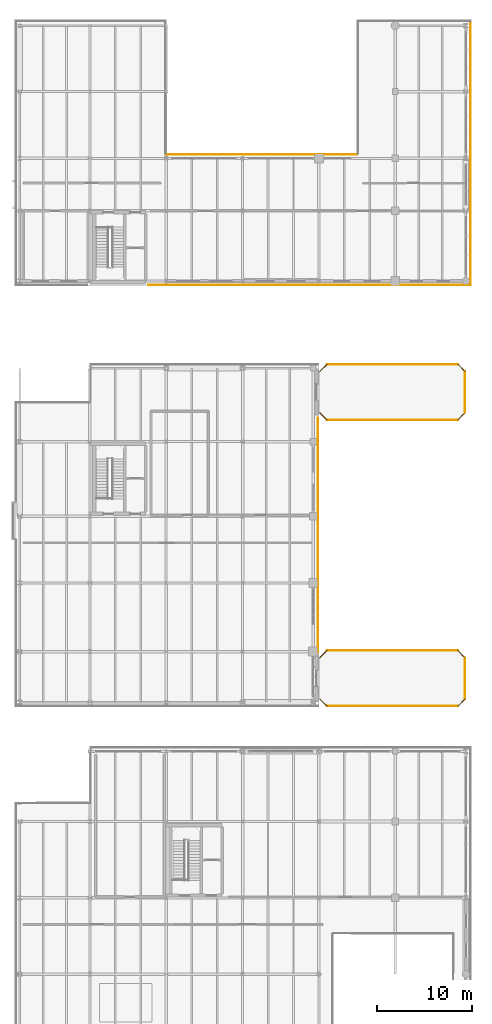
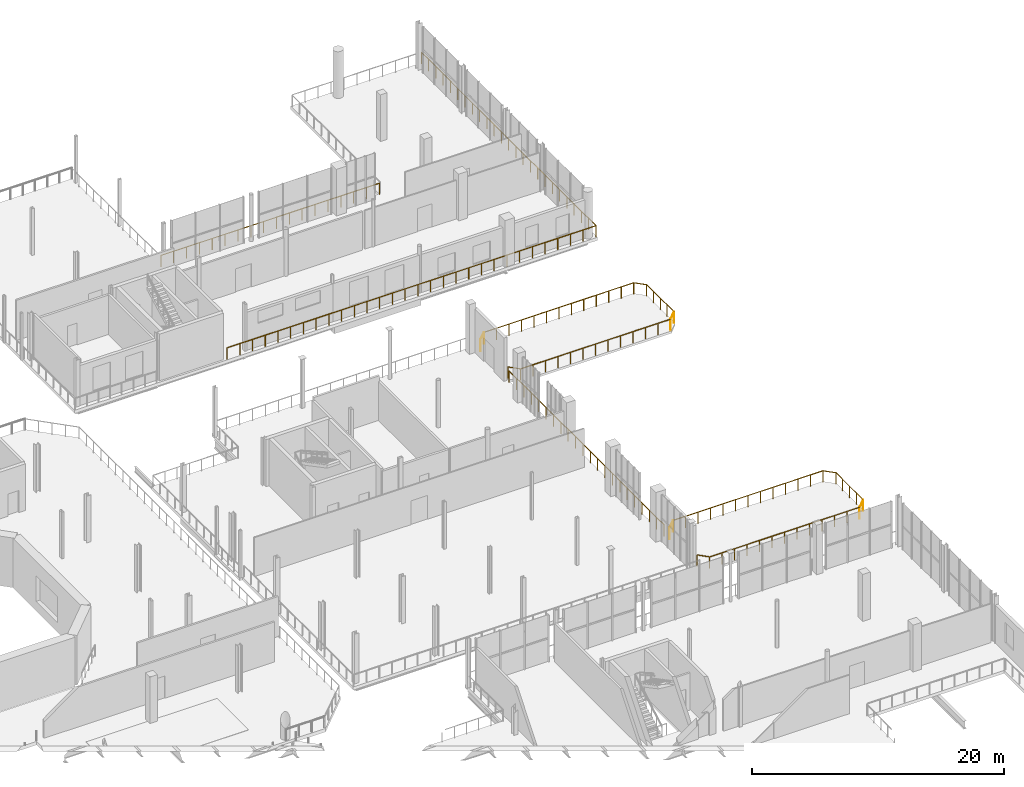
# One storey, part 92 of 93: 18 railings.
"""IFC4 building model written with IfcOpenShell, lengths in metres."""

from ifc_helpers import new_model, si_unit, direction, frame, origin, origin_2d, place, context, subcontext, project, spatial, circle, extrude, material, type_object, element, save


model = new_model("IFC4")

# Units and contexts
model_context = context("Model", 3, precision=1e-05, world=origin(), true_north=direction((0.0, 1.0)))
body_context = subcontext(model_context, "Body", "Model", "MODEL_VIEW")
ifc_project = project(units=[si_unit("LENGTHUNIT", "METRE"), si_unit("AREAUNIT", "SQUARE_METRE"), si_unit("VOLUMEUNIT", "CUBIC_METRE"), si_unit("PLANEANGLEUNIT", "RADIAN"), si_unit("MASSUNIT", "GRAM", prefix="KILO")], contexts=[model_context])

# Site, building, storey
site_placement = place(None, origin())
site = spatial("IfcSite", under=ifc_project, at=site_placement, CompositionType="ELEMENT")
building_placement = place(site_placement, origin())
building = spatial("IfcBuilding", under=site, at=building_placement, Name="Brisemont Oceanarium", CompositionType="ELEMENT")
storey_placement = place(building_placement, frame((0.0, 0.0, 5.39990234375)))
storey = spatial("IfcBuildingStorey", under=building, at=storey_placement, Name="L01", CompositionType="ELEMENT", Elevation=5.39990234375)

# Railings
ifc_material_1 = material(Name="Beaux-Arts Limestone Balustrade Precast Concrete C40/50", Category="masonry")
railing_type_1 = type_object("IfcRailingType", Name="RLG-BAL-1140", PredefinedType="BALUSTRADE", material=ifc_material_1)
railing_1_placement = place(storey_placement, frame((159.31005859375, 71.16259765625, 0.0)))
element("IfcRailing", 1, at=railing_1_placement, inside=storey, type_object=railing_type_1, Name="L01 slab perimeter safety guard 28", PredefinedType="BALUSTRADE", context=body_context, shape_type="SweptSolid", body=[
    extrude(circle(Radius=0.02392578125, at=origin_2d()), frame((0.0, 0.0, 1.11572265625), z_axis=(0.0, -1.0, 0.0), x_axis=(1.0, 0.0, 0.0)), (0.0, 0.0, 1.0), 4.3251953125),
    extrude(circle(Radius=0.02099609375, at=origin_2d()), origin(), (0.0, 0.0, 1.0), 1.091796875),
    extrude(circle(Radius=0.02099609375, at=origin_2d()), frame((0.0, -1.081298828125, 0.0)), (0.0, 0.0, 1.0), 1.091796875),
    extrude(circle(Radius=0.02099609375, at=origin_2d()), frame((0.0, -2.16259765625, 0.0)), (0.0, 0.0, 1.0), 1.091796875),
    extrude(circle(Radius=0.02099609375, at=origin_2d()), frame((0.0, -3.243896484375, 0.0)), (0.0, 0.0, 1.0), 1.091796875),
    extrude(circle(Radius=0.02099609375, at=origin_2d()), frame((0.0, -4.3251953125, 0.0)), (0.0, 0.0, 1.0), 1.091796875),
])
railing_2_placement = place(storey_placement, frame((143.909912109375, 66.27783203125, 0.0)))
element("IfcRailing", 2, at=railing_2_placement, inside=storey, type_object=railing_type_1, Name="L01 slab perimeter safety guard 32", PredefinedType="BALUSTRADE", context=body_context, shape_type="SweptSolid", body=[
    extrude(circle(Radius=0.02392578125, at=origin_2d()), frame((0.0, 0.0, 1.11572265625), z_axis=(0.0, -1.0, 0.0), x_axis=(1.0, 0.0, 0.0)), (0.0, 0.0, 1.0), 24.5556640625),
    extrude(circle(Radius=0.02099609375, at=origin_2d()), origin(), (0.0, 0.0, 1.0), 1.091796875),
    extrude(circle(Radius=0.02099609375, at=origin_2d()), frame((0.0, -1.16943359375, 0.0)), (0.0, 0.0, 1.0), 1.091796875),
    extrude(circle(Radius=0.02099609375, at=origin_2d()), frame((0.0, -2.338623046875, 0.0)), (0.0, 0.0, 1.0), 1.091796875),
    extrude(circle(Radius=0.02099609375, at=origin_2d()), frame((0.0, -3.508056640625, 0.0)), (0.0, 0.0, 1.0), 1.091796875),
    extrude(circle(Radius=0.02099609375, at=origin_2d()), frame((0.0, -4.67724609375, 0.0)), (0.0, 0.0, 1.0), 1.091796875),
    extrude(circle(Radius=0.02099609375, at=origin_2d()), frame((0.0, -5.8466796875, 0.0)), (0.0, 0.0, 1.0), 1.091796875),
    extrude(circle(Radius=0.02099609375, at=origin_2d()), frame((0.0, -7.015869140625, 0.0)), (0.0, 0.0, 1.0), 1.091796875),
    extrude(circle(Radius=0.02099609375, at=origin_2d()), frame((0.0, -8.185302734375, 0.0)), (0.0, 0.0, 1.0), 1.091796875),
    extrude(circle(Radius=0.02099609375, at=origin_2d()), frame((0.0, -9.3544921875, 0.0)), (0.0, 0.0, 1.0), 1.091796875),
    extrude(circle(Radius=0.02099609375, at=origin_2d()), frame((0.0, -10.52392578125, 0.0)), (0.0, 0.0, 1.0), 1.091796875),
    extrude(circle(Radius=0.02099609375, at=origin_2d()), frame((0.0, -11.693115234375, 0.0)), (0.0, 0.0, 1.0), 1.091796875),
    extrude(circle(Radius=0.02099609375, at=origin_2d()), frame((0.0, -12.862548828125, 0.0)), (0.0, 0.0, 1.0), 1.091796875),
    extrude(circle(Radius=0.02099609375, at=origin_2d()), frame((0.0, -14.03173828125, 0.0)), (0.0, 0.0, 1.0), 1.091796875),
    extrude(circle(Radius=0.02099609375, at=origin_2d()), frame((0.0, -15.201171875, 0.0)), (0.0, 0.0, 1.0), 1.091796875),
    extrude(circle(Radius=0.02099609375, at=origin_2d()), frame((0.0, -16.370361328125, 0.0)), (0.0, 0.0, 1.0), 1.091796875),
    extrude(circle(Radius=0.02099609375, at=origin_2d()), frame((0.0, -17.539794921875, 0.0)), (0.0, 0.0, 1.0), 1.091796875),
    extrude(circle(Radius=0.02099609375, at=origin_2d()), frame((0.0, -18.708984375, 0.0)), (0.0, 0.0, 1.0), 1.091796875),
    extrude(circle(Radius=0.02099609375, at=origin_2d()), frame((0.0, -19.87841796875, 0.0)), (0.0, 0.0, 1.0), 1.091796875),
    extrude(circle(Radius=0.02099609375, at=origin_2d()), frame((0.0, -21.047607421875, 0.0)), (0.0, 0.0, 1.0), 1.091796875),
    extrude(circle(Radius=0.02099609375, at=origin_2d()), frame((0.0, -22.217041015625, 0.0)), (0.0, 0.0, 1.0), 1.091796875),
    extrude(circle(Radius=0.02099609375, at=origin_2d()), frame((0.0, -23.38623046875, 0.0)), (0.0, 0.0, 1.0), 1.091796875),
    extrude(circle(Radius=0.02099609375, at=origin_2d()), frame((0.0, -24.5556640625, 0.0)), (0.0, 0.0, 1.0), 1.091796875),
])
railing_3_placement = place(storey_placement, frame((159.31005859375, 41.16259765625, 0.0)))
element("IfcRailing", 3, at=railing_3_placement, inside=storey, type_object=railing_type_1, Name="L01 slab perimeter safety guard 36", PredefinedType="BALUSTRADE", context=body_context, shape_type="SweptSolid", body=[
    extrude(circle(Radius=0.02392578125, at=origin_2d()), frame((0.0, 0.0, 1.11572265625), z_axis=(0.0, -1.0, 0.0), x_axis=(1.0, 0.0, 0.0)), (0.0, 0.0, 1.0), 4.3251953125),
    extrude(circle(Radius=0.02099609375, at=origin_2d()), origin(), (0.0, 0.0, 1.0), 1.091796875),
    extrude(circle(Radius=0.02099609375, at=origin_2d()), frame((0.0, -1.081298828125, 0.0)), (0.0, 0.0, 1.0), 1.091796875),
    extrude(circle(Radius=0.02099609375, at=origin_2d()), frame((0.0, -2.16259765625, 0.0)), (0.0, 0.0, 1.0), 1.091796875),
    extrude(circle(Radius=0.02099609375, at=origin_2d()), frame((0.0, -3.243896484375, 0.0)), (0.0, 0.0, 1.0), 1.091796875),
    extrude(circle(Radius=0.02099609375, at=origin_2d()), frame((0.0, -4.3251953125, 0.0)), (0.0, 0.0, 1.0), 1.091796875),
])
ifc_material_2 = material(Name="Duplex Stainless Steel EN 1.4462", Category="steel")
railing_type_2 = type_object("IfcRailingType", Name="RLG-GUARD-1120", PredefinedType="GUARDRAIL", material=ifc_material_2)
railing_4_placement = place(storey_placement, frame((127.98193359375, 93.916748046875, 0.0)))
element("IfcRailing", 4, at=railing_4_placement, inside=storey, type_object=railing_type_2, Name="L01 slab perimeter safety guard 14", PredefinedType="GUARDRAIL", context=body_context, shape_type="SweptSolid", body=[
    extrude(circle(Radius=0.02392578125, at=origin_2d()), frame((0.0, 0.0, 1.09619140625), z_axis=(0.999999941576, -0.000341830237, 0.0), x_axis=(0.000341830237, 0.999999941576, 0.0)), (0.0, 0.0, 1.0), 19.998046875),
    extrude(circle(Radius=0.02099609375, at=origin_2d()), origin(), (0.0, 0.0, 1.0), 1.072021484375),
    extrude(circle(Radius=0.02099609375, at=origin_2d()), frame((1.17626953125, -0.00048828125, 0.0)), (0.0, 0.0, 1.0), 1.072021484375),
    extrude(circle(Radius=0.02099609375, at=origin_2d()), frame((2.352783203125, -0.000732421875, 0.0)), (0.0, 0.0, 1.0), 1.072021484375),
    extrude(circle(Radius=0.02099609375, at=origin_2d()), frame((3.529052734375, -0.001220703125, 0.0)), (0.0, 0.0, 1.0), 1.072021484375),
    extrude(circle(Radius=0.02099609375, at=origin_2d()), frame((4.705322265625, -0.001708984375, 0.0)), (0.0, 0.0, 1.0), 1.072021484375),
    extrude(circle(Radius=0.02099609375, at=origin_2d()), frame((5.8818359375, -0.001953125, 0.0)), (0.0, 0.0, 1.0), 1.072021484375),
    extrude(circle(Radius=0.02099609375, at=origin_2d()), frame((7.05810546875, -0.00244140625, 0.0)), (0.0, 0.0, 1.0), 1.072021484375),
    extrude(circle(Radius=0.02099609375, at=origin_2d()), frame((8.234375, -0.0029296875, 0.0)), (0.0, 0.0, 1.0), 1.072021484375),
    extrude(circle(Radius=0.02099609375, at=origin_2d()), frame((9.410888671875, -0.003173828125, 0.0)), (0.0, 0.0, 1.0), 1.072021484375),
    extrude(circle(Radius=0.02099609375, at=origin_2d()), frame((10.587158203125, -0.003662109375, 0.0)), (0.0, 0.0, 1.0), 1.072021484375),
    extrude(circle(Radius=0.02099609375, at=origin_2d()), frame((11.763671875, -0.00390625, 0.0)), (0.0, 0.0, 1.0), 1.072021484375),
    extrude(circle(Radius=0.02099609375, at=origin_2d()), frame((12.93994140625, -0.00439453125, 0.0)), (0.0, 0.0, 1.0), 1.072021484375),
    extrude(circle(Radius=0.02099609375, at=origin_2d()), frame((14.1162109375, -0.0048828125, 0.0)), (0.0, 0.0, 1.0), 1.072021484375),
    extrude(circle(Radius=0.02099609375, at=origin_2d()), frame((15.292724609375, -0.005126953125, 0.0)), (0.0, 0.0, 1.0), 1.072021484375),
    extrude(circle(Radius=0.02099609375, at=origin_2d()), frame((16.468994140625, -0.005615234375, 0.0)), (0.0, 0.0, 1.0), 1.072021484375),
    extrude(circle(Radius=0.02099609375, at=origin_2d()), frame((17.645263671875, -0.006103515625, 0.0)), (0.0, 0.0, 1.0), 1.072021484375),
    extrude(circle(Radius=0.02099609375, at=origin_2d()), frame((18.82177734375, -0.00634765625, 0.0)), (0.0, 0.0, 1.0), 1.072021484375),
    extrude(circle(Radius=0.02099609375, at=origin_2d()), frame((19.998046875, -0.0068359375, 0.0)), (0.0, 0.0, 1.0), 1.072021484375),
])
railing_5_placement = place(storey_placement, frame((159.909423828125, 107.909912109375, 0.0)))
element("IfcRailing", 5, at=railing_5_placement, inside=storey, type_object=railing_type_2, Name="L01 slab perimeter safety guard 17", PredefinedType="GUARDRAIL", context=body_context, shape_type="SweptSolid", body=[
    extrude(circle(Radius=0.02392578125, at=origin_2d()), frame((0.0, 0.0, 1.09619140625), z_axis=(1.7646955e-05, -0.999999999844, 0.0), x_axis=(0.999999999844, 1.7646955e-05, 0.0)), (0.0, 0.0, 1.0), 27.66943359375),
    extrude(circle(Radius=0.02099609375, at=origin_2d()), origin(), (0.0, 0.0, 1.0), 1.072021484375),
    extrude(circle(Radius=0.02099609375, at=origin_2d()), frame((0.0, -1.15283203125, 0.0)), (0.0, 0.0, 1.0), 1.072021484375),
    extrude(circle(Radius=0.02099609375, at=origin_2d()), frame((0.0, -2.3056640625, 0.0)), (0.0, 0.0, 1.0), 1.072021484375),
    extrude(circle(Radius=0.02099609375, at=origin_2d()), frame((0.0, -3.458740234375, 0.0)), (0.0, 0.0, 1.0), 1.072021484375),
    extrude(circle(Radius=0.02099609375, at=origin_2d()), frame((0.0, -4.611572265625, 0.0)), (0.0, 0.0, 1.0), 1.072021484375),
    extrude(circle(Radius=0.02099609375, at=origin_2d()), frame((0.0, -5.764404296875, 0.0)), (0.0, 0.0, 1.0), 1.072021484375),
    extrude(circle(Radius=0.02099609375, at=origin_2d()), frame((0.0, -6.91748046875, 0.0)), (0.0, 0.0, 1.0), 1.072021484375),
    extrude(circle(Radius=0.02099609375, at=origin_2d()), frame((0.000244140625, -8.0703125, 0.0)), (0.0, 0.0, 1.0), 1.072021484375),
    extrude(circle(Radius=0.02099609375, at=origin_2d()), frame((0.000244140625, -9.22314453125, 0.0)), (0.0, 0.0, 1.0), 1.072021484375),
    extrude(circle(Radius=0.02099609375, at=origin_2d()), frame((0.000244140625, -10.3759765625, 0.0)), (0.0, 0.0, 1.0), 1.072021484375),
    extrude(circle(Radius=0.02099609375, at=origin_2d()), frame((0.000244140625, -11.52880859375, 0.0)), (0.0, 0.0, 1.0), 1.072021484375),
    extrude(circle(Radius=0.02099609375, at=origin_2d()), frame((0.000244140625, -12.681884765625, 0.0)), (0.0, 0.0, 1.0), 1.072021484375),
    extrude(circle(Radius=0.02099609375, at=origin_2d()), frame((0.000244140625, -13.834716796875, 0.0)), (0.0, 0.0, 1.0), 1.072021484375),
    extrude(circle(Radius=0.02099609375, at=origin_2d()), frame((0.000244140625, -14.987548828125, 0.0)), (0.0, 0.0, 1.0), 1.072021484375),
    extrude(circle(Radius=0.02099609375, at=origin_2d()), frame((0.000244140625, -16.140625, 0.0)), (0.0, 0.0, 1.0), 1.072021484375),
    extrude(circle(Radius=0.02099609375, at=origin_2d()), frame((0.000244140625, -17.29345703125, 0.0)), (0.0, 0.0, 1.0), 1.072021484375),
    extrude(circle(Radius=0.02099609375, at=origin_2d()), frame((0.000244140625, -18.4462890625, 0.0)), (0.0, 0.0, 1.0), 1.072021484375),
    extrude(circle(Radius=0.02099609375, at=origin_2d()), frame((0.000244140625, -19.59912109375, 0.0)), (0.0, 0.0, 1.0), 1.072021484375),
    extrude(circle(Radius=0.02099609375, at=origin_2d()), frame((0.00048828125, -20.751953125, 0.0)), (0.0, 0.0, 1.0), 1.072021484375),
    extrude(circle(Radius=0.02099609375, at=origin_2d()), frame((0.00048828125, -21.905029296875, 0.0)), (0.0, 0.0, 1.0), 1.072021484375),
    extrude(circle(Radius=0.02099609375, at=origin_2d()), frame((0.00048828125, -23.057861328125, 0.0)), (0.0, 0.0, 1.0), 1.072021484375),
    extrude(circle(Radius=0.02099609375, at=origin_2d()), frame((0.00048828125, -24.210693359375, 0.0)), (0.0, 0.0, 1.0), 1.072021484375),
    extrude(circle(Radius=0.02099609375, at=origin_2d()), frame((0.00048828125, -25.36376953125, 0.0)), (0.0, 0.0, 1.0), 1.072021484375),
    extrude(circle(Radius=0.02099609375, at=origin_2d()), frame((0.00048828125, -26.5166015625, 0.0)), (0.0, 0.0, 1.0), 1.072021484375),
    extrude(circle(Radius=0.02099609375, at=origin_2d()), frame((0.00048828125, -27.66943359375, 0.0)), (0.0, 0.0, 1.0), 1.072021484375),
])
railing_6_placement = place(storey_placement, frame((159.909912109375, 80.240478515625, 0.0)))
element("IfcRailing", 6, at=railing_6_placement, inside=storey, type_object=railing_type_2, Name="L01 slab perimeter safety guard 18", PredefinedType="GUARDRAIL", context=body_context, shape_type="SweptSolid", body=[
    extrude(circle(Radius=0.02392578125, at=origin_2d()), frame((0.0, 0.0, 1.09619140625), z_axis=(-0.999999999895, -1.4463303e-05, 0.0), x_axis=(1.4463303e-05, -0.999999999895, 0.0)), (0.0, 0.0, 1.0), 33.760009765625),
    extrude(circle(Radius=0.02099609375, at=origin_2d()), origin(), (0.0, 0.0, 1.0), 1.072021484375),
    extrude(circle(Radius=0.02099609375, at=origin_2d()), frame((-1.1640625, 0.0, 0.0)), (0.0, 0.0, 1.0), 1.072021484375),
    extrude(circle(Radius=0.02099609375, at=origin_2d()), frame((-2.328369140625, 0.0, 0.0)), (0.0, 0.0, 1.0), 1.072021484375),
    extrude(circle(Radius=0.02099609375, at=origin_2d()), frame((-3.492431640625, 0.0, 0.0)), (0.0, 0.0, 1.0), 1.072021484375),
    extrude(circle(Radius=0.02099609375, at=origin_2d()), frame((-4.656494140625, 0.0, 0.0)), (0.0, 0.0, 1.0), 1.072021484375),
    extrude(circle(Radius=0.02099609375, at=origin_2d()), frame((-5.82080078125, 0.0, 0.0)), (0.0, 0.0, 1.0), 1.072021484375),
    extrude(circle(Radius=0.02099609375, at=origin_2d()), frame((-6.98486328125, 0.0, 0.0)), (0.0, 0.0, 1.0), 1.072021484375),
    extrude(circle(Radius=0.02099609375, at=origin_2d()), frame((-8.14892578125, 0.0, 0.0)), (0.0, 0.0, 1.0), 1.072021484375),
    extrude(circle(Radius=0.02099609375, at=origin_2d()), frame((-9.31298828125, -0.000244140625, 0.0)), (0.0, 0.0, 1.0), 1.072021484375),
    extrude(circle(Radius=0.02099609375, at=origin_2d()), frame((-10.477294921875, -0.000244140625, 0.0)), (0.0, 0.0, 1.0), 1.072021484375),
    extrude(circle(Radius=0.02099609375, at=origin_2d()), frame((-11.641357421875, -0.000244140625, 0.0)), (0.0, 0.0, 1.0), 1.072021484375),
    extrude(circle(Radius=0.02099609375, at=origin_2d()), frame((-12.805419921875, -0.000244140625, 0.0)), (0.0, 0.0, 1.0), 1.072021484375),
    extrude(circle(Radius=0.02099609375, at=origin_2d()), frame((-13.9697265625, -0.000244140625, 0.0)), (0.0, 0.0, 1.0), 1.072021484375),
    extrude(circle(Radius=0.02099609375, at=origin_2d()), frame((-15.1337890625, -0.000244140625, 0.0)), (0.0, 0.0, 1.0), 1.072021484375),
    extrude(circle(Radius=0.02099609375, at=origin_2d()), frame((-16.2978515625, -0.000244140625, 0.0)), (0.0, 0.0, 1.0), 1.072021484375),
    extrude(circle(Radius=0.02099609375, at=origin_2d()), frame((-17.462158203125, -0.000244140625, 0.0)), (0.0, 0.0, 1.0), 1.072021484375),
    extrude(circle(Radius=0.02099609375, at=origin_2d()), frame((-18.626220703125, -0.000244140625, 0.0)), (0.0, 0.0, 1.0), 1.072021484375),
    extrude(circle(Radius=0.02099609375, at=origin_2d()), frame((-19.790283203125, -0.000244140625, 0.0)), (0.0, 0.0, 1.0), 1.072021484375),
    extrude(circle(Radius=0.02099609375, at=origin_2d()), frame((-20.95458984375, -0.000244140625, 0.0)), (0.0, 0.0, 1.0), 1.072021484375),
    extrude(circle(Radius=0.02099609375, at=origin_2d()), frame((-22.11865234375, -0.000244140625, 0.0)), (0.0, 0.0, 1.0), 1.072021484375),
    extrude(circle(Radius=0.02099609375, at=origin_2d()), frame((-23.28271484375, -0.000244140625, 0.0)), (0.0, 0.0, 1.0), 1.072021484375),
    extrude(circle(Radius=0.02099609375, at=origin_2d()), frame((-24.447021484375, -0.000244140625, 0.0)), (0.0, 0.0, 1.0), 1.072021484375),
    extrude(circle(Radius=0.02099609375, at=origin_2d()), frame((-25.611083984375, -0.00048828125, 0.0)), (0.0, 0.0, 1.0), 1.072021484375),
    extrude(circle(Radius=0.02099609375, at=origin_2d()), frame((-26.775146484375, -0.00048828125, 0.0)), (0.0, 0.0, 1.0), 1.072021484375),
    extrude(circle(Radius=0.02099609375, at=origin_2d()), frame((-27.939208984375, -0.00048828125, 0.0)), (0.0, 0.0, 1.0), 1.072021484375),
    extrude(circle(Radius=0.02099609375, at=origin_2d()), frame((-29.103515625, -0.00048828125, 0.0)), (0.0, 0.0, 1.0), 1.072021484375),
    extrude(circle(Radius=0.02099609375, at=origin_2d()), frame((-30.267578125, -0.00048828125, 0.0)), (0.0, 0.0, 1.0), 1.072021484375),
    extrude(circle(Radius=0.02099609375, at=origin_2d()), frame((-31.431640625, -0.00048828125, 0.0)), (0.0, 0.0, 1.0), 1.072021484375),
    extrude(circle(Radius=0.02099609375, at=origin_2d()), frame((-32.595947265625, -0.00048828125, 0.0)), (0.0, 0.0, 1.0), 1.072021484375),
    extrude(circle(Radius=0.02099609375, at=origin_2d()), frame((-33.760009765625, -0.00048828125, 0.0)), (0.0, 0.0, 1.0), 1.072021484375),
])
railing_7_placement = place(storey_placement, frame((144.110107421875, 71.1826171875, 0.0)))
element("IfcRailing", 7, at=railing_7_placement, inside=storey, type_object=railing_type_2, Name="L01 slab perimeter safety guard 25", PredefinedType="GUARDRAIL", context=body_context, shape_type="SweptSolid", body=[
    extrude(circle(Radius=0.02392578125, at=origin_2d()), frame((0.0, 0.0, 1.09619140625), z_axis=(0.707106781187, 0.707106781187, 0.0), x_axis=(-0.707106781187, 0.707106781187, 0.0)), (0.0, 0.0, 1.0), 1.028564453125),
    extrude(circle(Radius=0.02099609375, at=origin_2d()), origin(), (0.0, 0.0, 1.0), 1.072021484375),
    extrude(circle(Radius=0.02099609375, at=origin_2d()), frame((0.727294921875, 0.727294921875, 0.0)), (0.0, 0.0, 1.0), 1.072021484375),
])
railing_8_placement = place(storey_placement, frame((144.83740234375, 71.909912109375, 0.0)))
element("IfcRailing", 8, at=railing_8_placement, inside=storey, type_object=railing_type_2, Name="L01 slab perimeter safety guard 26", PredefinedType="GUARDRAIL", context=body_context, shape_type="SweptSolid", body=[
    extrude(circle(Radius=0.02392578125, at=origin_2d()), frame((0.0, 0.0, 1.09619140625), z_axis=(1.0, 0.0, 0.0), x_axis=(0.0, 1.0, 0.0)), (0.0, 0.0, 1.0), 13.725341796875),
    extrude(circle(Radius=0.02099609375, at=origin_2d()), origin(), (0.0, 0.0, 1.0), 1.072021484375),
    extrude(circle(Radius=0.02099609375, at=origin_2d()), frame((1.143798828125, 0.0, 0.0)), (0.0, 0.0, 1.0), 1.072021484375),
    extrude(circle(Radius=0.02099609375, at=origin_2d()), frame((2.28759765625, 0.0, 0.0)), (0.0, 0.0, 1.0), 1.072021484375),
    extrude(circle(Radius=0.02099609375, at=origin_2d()), frame((3.431396484375, 0.0, 0.0)), (0.0, 0.0, 1.0), 1.072021484375),
    extrude(circle(Radius=0.02099609375, at=origin_2d()), frame((4.5751953125, 0.0, 0.0)), (0.0, 0.0, 1.0), 1.072021484375),
    extrude(circle(Radius=0.02099609375, at=origin_2d()), frame((5.718994140625, 0.0, 0.0)), (0.0, 0.0, 1.0), 1.072021484375),
    extrude(circle(Radius=0.02099609375, at=origin_2d()), frame((6.86279296875, 0.0, 0.0)), (0.0, 0.0, 1.0), 1.072021484375),
    extrude(circle(Radius=0.02099609375, at=origin_2d()), frame((8.00634765625, 0.0, 0.0)), (0.0, 0.0, 1.0), 1.072021484375),
    extrude(circle(Radius=0.02099609375, at=origin_2d()), frame((9.150146484375, 0.0, 0.0)), (0.0, 0.0, 1.0), 1.072021484375),
    extrude(circle(Radius=0.02099609375, at=origin_2d()), frame((10.2939453125, 0.0, 0.0)), (0.0, 0.0, 1.0), 1.072021484375),
    extrude(circle(Radius=0.02099609375, at=origin_2d()), frame((11.437744140625, 0.0, 0.0)), (0.0, 0.0, 1.0), 1.072021484375),
    extrude(circle(Radius=0.02099609375, at=origin_2d()), frame((12.58154296875, 0.0, 0.0)), (0.0, 0.0, 1.0), 1.072021484375),
    extrude(circle(Radius=0.02099609375, at=origin_2d()), frame((13.725341796875, 0.0, 0.0)), (0.0, 0.0, 1.0), 1.072021484375),
])
railing_9_placement = place(storey_placement, frame((158.562744140625, 71.909912109375, 0.0)))
element("IfcRailing", 9, at=railing_9_placement, inside=storey, type_object=railing_type_2, Name="L01 slab perimeter safety guard 27", PredefinedType="GUARDRAIL", context=body_context, shape_type="SweptSolid", body=[
    extrude(circle(Radius=0.02392578125, at=origin_2d()), frame((0.0, 0.0, 1.09619140625), z_axis=(0.707106781187, -0.707106781187, 0.0), x_axis=(0.707106781187, 0.707106781187, 0.0)), (0.0, 0.0, 1.0), 1.056884765625),
    extrude(circle(Radius=0.02099609375, at=origin_2d()), origin(), (0.0, 0.0, 1.0), 1.072021484375),
    extrude(circle(Radius=0.02099609375, at=origin_2d()), frame((0.747314453125, -0.747314453125, 0.0)), (0.0, 0.0, 1.0), 1.072021484375),
])
railing_10_placement = place(storey_placement, frame((159.31005859375, 66.83740234375, 0.0)))
element("IfcRailing", 10, at=railing_10_placement, inside=storey, type_object=railing_type_2, Name="L01 slab perimeter safety guard 29", PredefinedType="GUARDRAIL", context=body_context, shape_type="SweptSolid", body=[
    extrude(circle(Radius=0.02392578125, at=origin_2d()), frame((0.0, 0.0, 1.09619140625), z_axis=(-0.707106781187, -0.707106781187, 0.0), x_axis=(0.707106781187, -0.707106781187, 0.0)), (0.0, 0.0, 1.0), 1.056884765625),
    extrude(circle(Radius=0.02099609375, at=origin_2d()), origin(), (0.0, 0.0, 1.0), 1.072021484375),
    extrude(circle(Radius=0.02099609375, at=origin_2d()), frame((-0.747314453125, -0.747314453125, 0.0)), (0.0, 0.0, 1.0), 1.072021484375),
])
railing_11_placement = place(storey_placement, frame((158.562744140625, 66.090087890625, 0.0)))
element("IfcRailing", 11, at=railing_11_placement, inside=storey, type_object=railing_type_2, Name="L01 slab perimeter safety guard 30", PredefinedType="GUARDRAIL", context=body_context, shape_type="SweptSolid", body=[
    extrude(circle(Radius=0.02392578125, at=origin_2d()), frame((0.0, 0.0, 1.09619140625), z_axis=(-1.0, 0.0, 0.0), x_axis=(0.0, -1.0, 0.0)), (0.0, 0.0, 1.0), 13.725341796875),
    extrude(circle(Radius=0.02099609375, at=origin_2d()), origin(), (0.0, 0.0, 1.0), 1.072021484375),
    extrude(circle(Radius=0.02099609375, at=origin_2d()), frame((-1.143798828125, 0.0, 0.0)), (0.0, 0.0, 1.0), 1.072021484375),
    extrude(circle(Radius=0.02099609375, at=origin_2d()), frame((-2.28759765625, 0.0, 0.0)), (0.0, 0.0, 1.0), 1.072021484375),
    extrude(circle(Radius=0.02099609375, at=origin_2d()), frame((-3.431396484375, 0.0, 0.0)), (0.0, 0.0, 1.0), 1.072021484375),
    extrude(circle(Radius=0.02099609375, at=origin_2d()), frame((-4.5751953125, 0.0, 0.0)), (0.0, 0.0, 1.0), 1.072021484375),
    extrude(circle(Radius=0.02099609375, at=origin_2d()), frame((-5.718994140625, 0.0, 0.0)), (0.0, 0.0, 1.0), 1.072021484375),
    extrude(circle(Radius=0.02099609375, at=origin_2d()), frame((-6.86279296875, 0.0, 0.0)), (0.0, 0.0, 1.0), 1.072021484375),
    extrude(circle(Radius=0.02099609375, at=origin_2d()), frame((-8.00634765625, 0.0, 0.0)), (0.0, 0.0, 1.0), 1.072021484375),
    extrude(circle(Radius=0.02099609375, at=origin_2d()), frame((-9.150146484375, 0.0, 0.0)), (0.0, 0.0, 1.0), 1.072021484375),
    extrude(circle(Radius=0.02099609375, at=origin_2d()), frame((-10.2939453125, 0.0, 0.0)), (0.0, 0.0, 1.0), 1.072021484375),
    extrude(circle(Radius=0.02099609375, at=origin_2d()), frame((-11.437744140625, 0.0, 0.0)), (0.0, 0.0, 1.0), 1.072021484375),
    extrude(circle(Radius=0.02099609375, at=origin_2d()), frame((-12.58154296875, 0.0, 0.0)), (0.0, 0.0, 1.0), 1.072021484375),
    extrude(circle(Radius=0.02099609375, at=origin_2d()), frame((-13.725341796875, 0.0, 0.0)), (0.0, 0.0, 1.0), 1.072021484375),
])
railing_12_placement = place(storey_placement, frame((144.83740234375, 66.090087890625, 0.0)))
element("IfcRailing", 12, at=railing_12_placement, inside=storey, type_object=railing_type_2, Name="L01 slab perimeter safety guard 31", PredefinedType="GUARDRAIL", context=body_context, shape_type="SweptSolid", body=[
    extrude(circle(Radius=0.02392578125, at=origin_2d()), frame((0.0, 0.0, 1.09619140625), z_axis=(-0.707106781187, 0.707106781187, 0.0), x_axis=(-0.707106781187, -0.707106781187, 0.0)), (0.0, 0.0, 1.0), 1.028564453125),
    extrude(circle(Radius=0.02099609375, at=origin_2d()), origin(), (0.0, 0.0, 1.0), 1.072021484375),
    extrude(circle(Radius=0.02099609375, at=origin_2d()), frame((-0.727294921875, 0.727294921875, 0.0)), (0.0, 0.0, 1.0), 1.072021484375),
])
railing_13_placement = place(storey_placement, frame((144.110107421875, 41.1826171875, 0.0)))
element("IfcRailing", 13, at=railing_13_placement, inside=storey, type_object=railing_type_2, Name="L01 slab perimeter safety guard 33", PredefinedType="GUARDRAIL", context=body_context, shape_type="SweptSolid", body=[
    extrude(circle(Radius=0.02392578125, at=origin_2d()), frame((0.0, 0.0, 1.09619140625), z_axis=(0.707106781187, 0.707106781187, 0.0), x_axis=(-0.707106781187, 0.707106781187, 0.0)), (0.0, 0.0, 1.0), 1.028564453125),
    extrude(circle(Radius=0.02099609375, at=origin_2d()), origin(), (0.0, 0.0, 1.0), 1.072021484375),
    extrude(circle(Radius=0.02099609375, at=origin_2d()), frame((0.727294921875, 0.727294921875, 0.0)), (0.0, 0.0, 1.0), 1.072021484375),
])
railing_14_placement = place(storey_placement, frame((144.83740234375, 41.909912109375, 0.0)))
element("IfcRailing", 14, at=railing_14_placement, inside=storey, type_object=railing_type_2, Name="L01 slab perimeter safety guard 34", PredefinedType="GUARDRAIL", context=body_context, shape_type="SweptSolid", body=[
    extrude(circle(Radius=0.02392578125, at=origin_2d()), frame((0.0, 0.0, 1.09619140625), z_axis=(1.0, 0.0, 0.0), x_axis=(0.0, 1.0, 0.0)), (0.0, 0.0, 1.0), 13.725341796875),
    extrude(circle(Radius=0.02099609375, at=origin_2d()), origin(), (0.0, 0.0, 1.0), 1.072021484375),
    extrude(circle(Radius=0.02099609375, at=origin_2d()), frame((1.143798828125, 0.0, 0.0)), (0.0, 0.0, 1.0), 1.072021484375),
    extrude(circle(Radius=0.02099609375, at=origin_2d()), frame((2.28759765625, 0.0, 0.0)), (0.0, 0.0, 1.0), 1.072021484375),
    extrude(circle(Radius=0.02099609375, at=origin_2d()), frame((3.431396484375, 0.0, 0.0)), (0.0, 0.0, 1.0), 1.072021484375),
    extrude(circle(Radius=0.02099609375, at=origin_2d()), frame((4.5751953125, 0.0, 0.0)), (0.0, 0.0, 1.0), 1.072021484375),
    extrude(circle(Radius=0.02099609375, at=origin_2d()), frame((5.718994140625, 0.0, 0.0)), (0.0, 0.0, 1.0), 1.072021484375),
    extrude(circle(Radius=0.02099609375, at=origin_2d()), frame((6.86279296875, 0.0, 0.0)), (0.0, 0.0, 1.0), 1.072021484375),
    extrude(circle(Radius=0.02099609375, at=origin_2d()), frame((8.00634765625, 0.0, 0.0)), (0.0, 0.0, 1.0), 1.072021484375),
    extrude(circle(Radius=0.02099609375, at=origin_2d()), frame((9.150146484375, 0.0, 0.0)), (0.0, 0.0, 1.0), 1.072021484375),
    extrude(circle(Radius=0.02099609375, at=origin_2d()), frame((10.2939453125, 0.0, 0.0)), (0.0, 0.0, 1.0), 1.072021484375),
    extrude(circle(Radius=0.02099609375, at=origin_2d()), frame((11.437744140625, 0.0, 0.0)), (0.0, 0.0, 1.0), 1.072021484375),
    extrude(circle(Radius=0.02099609375, at=origin_2d()), frame((12.58154296875, 0.0, 0.0)), (0.0, 0.0, 1.0), 1.072021484375),
    extrude(circle(Radius=0.02099609375, at=origin_2d()), frame((13.725341796875, 0.0, 0.0)), (0.0, 0.0, 1.0), 1.072021484375),
])
railing_15_placement = place(storey_placement, frame((158.562744140625, 41.909912109375, 0.0)))
element("IfcRailing", 15, at=railing_15_placement, inside=storey, type_object=railing_type_2, Name="L01 slab perimeter safety guard 35", PredefinedType="GUARDRAIL", context=body_context, shape_type="SweptSolid", body=[
    extrude(circle(Radius=0.02392578125, at=origin_2d()), frame((0.0, 0.0, 1.09619140625), z_axis=(0.707106781187, -0.707106781187, 0.0), x_axis=(0.707106781187, 0.707106781187, 0.0)), (0.0, 0.0, 1.0), 1.056884765625),
    extrude(circle(Radius=0.02099609375, at=origin_2d()), origin(), (0.0, 0.0, 1.0), 1.072021484375),
    extrude(circle(Radius=0.02099609375, at=origin_2d()), frame((0.747314453125, -0.747314453125, 0.0)), (0.0, 0.0, 1.0), 1.072021484375),
])
railing_16_placement = place(storey_placement, frame((159.31005859375, 36.83740234375, 0.0)))
element("IfcRailing", 16, at=railing_16_placement, inside=storey, type_object=railing_type_2, Name="L01 slab perimeter safety guard 37", PredefinedType="GUARDRAIL", context=body_context, shape_type="SweptSolid", body=[
    extrude(circle(Radius=0.02392578125, at=origin_2d()), frame((0.0, 0.0, 1.09619140625), z_axis=(-0.707106781187, -0.707106781187, 0.0), x_axis=(0.707106781187, -0.707106781187, 0.0)), (0.0, 0.0, 1.0), 1.056884765625),
    extrude(circle(Radius=0.02099609375, at=origin_2d()), origin(), (0.0, 0.0, 1.0), 1.072021484375),
    extrude(circle(Radius=0.02099609375, at=origin_2d()), frame((-0.747314453125, -0.747314453125, 0.0)), (0.0, 0.0, 1.0), 1.072021484375),
])
railing_17_placement = place(storey_placement, frame((158.562744140625, 36.090087890625, 0.0)))
element("IfcRailing", 17, at=railing_17_placement, inside=storey, type_object=railing_type_2, Name="L01 slab perimeter safety guard 38", PredefinedType="GUARDRAIL", context=body_context, shape_type="SweptSolid", body=[
    extrude(circle(Radius=0.02392578125, at=origin_2d()), frame((0.0, 0.0, 1.09619140625), z_axis=(-1.0, 0.0, 0.0), x_axis=(0.0, -1.0, 0.0)), (0.0, 0.0, 1.0), 13.725341796875),
    extrude(circle(Radius=0.02099609375, at=origin_2d()), origin(), (0.0, 0.0, 1.0), 1.072021484375),
    extrude(circle(Radius=0.02099609375, at=origin_2d()), frame((-1.143798828125, 0.0, 0.0)), (0.0, 0.0, 1.0), 1.072021484375),
    extrude(circle(Radius=0.02099609375, at=origin_2d()), frame((-2.28759765625, 0.0, 0.0)), (0.0, 0.0, 1.0), 1.072021484375),
    extrude(circle(Radius=0.02099609375, at=origin_2d()), frame((-3.431396484375, 0.0, 0.0)), (0.0, 0.0, 1.0), 1.072021484375),
    extrude(circle(Radius=0.02099609375, at=origin_2d()), frame((-4.5751953125, 0.0, 0.0)), (0.0, 0.0, 1.0), 1.072021484375),
    extrude(circle(Radius=0.02099609375, at=origin_2d()), frame((-5.718994140625, 0.0, 0.0)), (0.0, 0.0, 1.0), 1.072021484375),
    extrude(circle(Radius=0.02099609375, at=origin_2d()), frame((-6.86279296875, 0.0, 0.0)), (0.0, 0.0, 1.0), 1.072021484375),
    extrude(circle(Radius=0.02099609375, at=origin_2d()), frame((-8.00634765625, 0.0, 0.0)), (0.0, 0.0, 1.0), 1.072021484375),
    extrude(circle(Radius=0.02099609375, at=origin_2d()), frame((-9.150146484375, 0.0, 0.0)), (0.0, 0.0, 1.0), 1.072021484375),
    extrude(circle(Radius=0.02099609375, at=origin_2d()), frame((-10.2939453125, 0.0, 0.0)), (0.0, 0.0, 1.0), 1.072021484375),
    extrude(circle(Radius=0.02099609375, at=origin_2d()), frame((-11.437744140625, 0.0, 0.0)), (0.0, 0.0, 1.0), 1.072021484375),
    extrude(circle(Radius=0.02099609375, at=origin_2d()), frame((-12.58154296875, 0.0, 0.0)), (0.0, 0.0, 1.0), 1.072021484375),
    extrude(circle(Radius=0.02099609375, at=origin_2d()), frame((-13.725341796875, 0.0, 0.0)), (0.0, 0.0, 1.0), 1.072021484375),
])
railing_18_placement = place(storey_placement, frame((144.83740234375, 36.090087890625, 0.0)))
element("IfcRailing", 18, at=railing_18_placement, inside=storey, type_object=railing_type_2, Name="L01 slab perimeter safety guard 39", PredefinedType="GUARDRAIL", context=body_context, shape_type="SweptSolid", body=[
    extrude(circle(Radius=0.02392578125, at=origin_2d()), frame((0.0, 0.0, 1.09619140625), z_axis=(-0.707106781187, 0.707106781187, 0.0), x_axis=(-0.707106781187, -0.707106781187, 0.0)), (0.0, 0.0, 1.0), 1.028564453125),
    extrude(circle(Radius=0.02099609375, at=origin_2d()), origin(), (0.0, 0.0, 1.0), 1.072021484375),
    extrude(circle(Radius=0.02099609375, at=origin_2d()), frame((-0.727294921875, 0.727294921875, 0.0)), (0.0, 0.0, 1.0), 1.072021484375),
])

save(model, "model.ifc")
